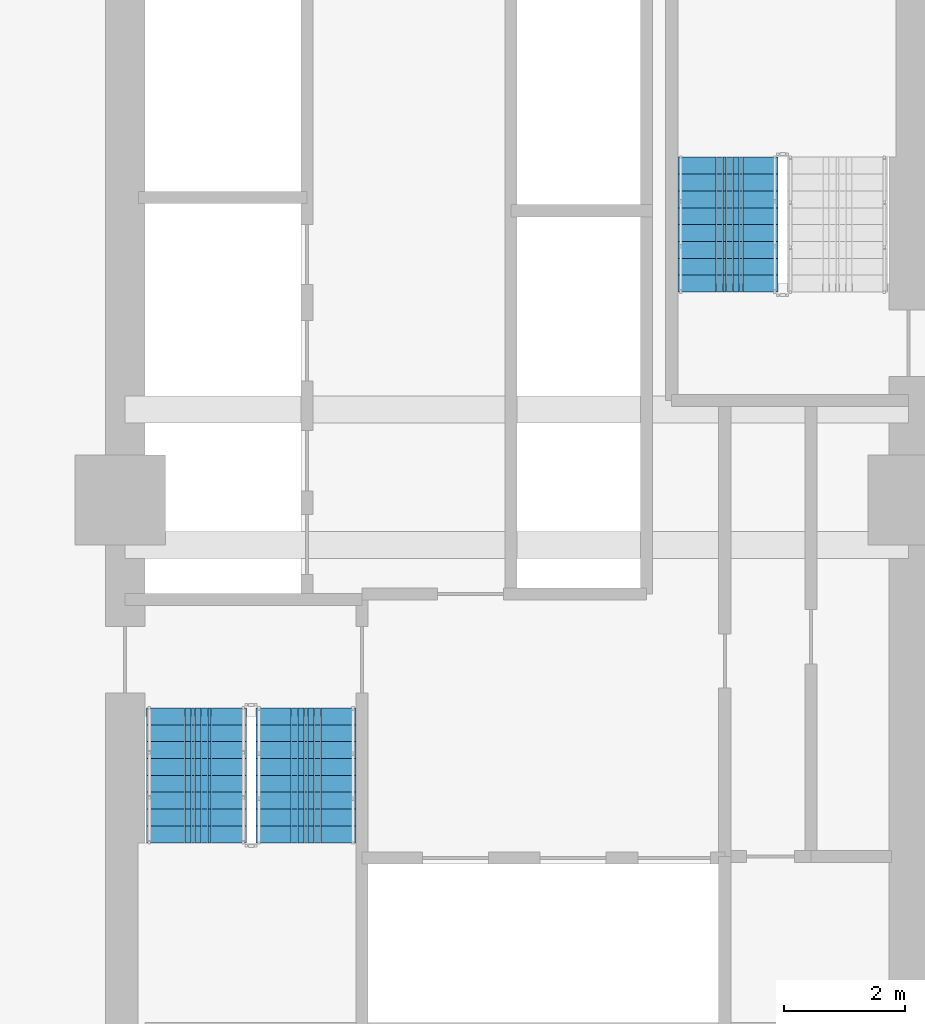
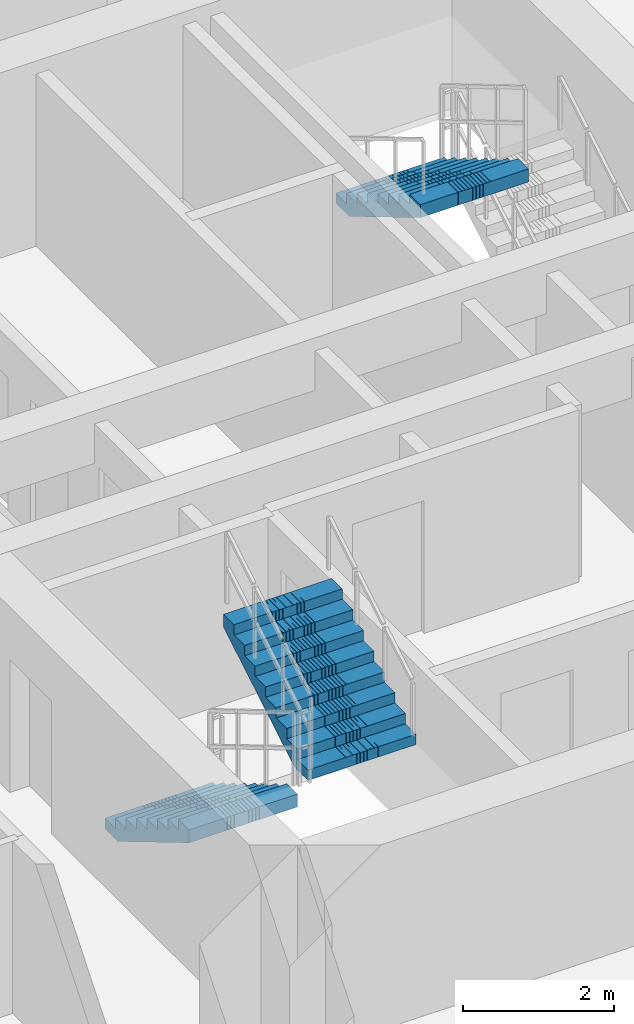
# One storey, part 9 of 16: 3 stair flights, 2 elements without a shape of their own.
"""IFC4 building model written with IfcOpenShell, lengths in metres."""

from ifc_helpers import new_model, si_unit, direction, frame, origin, place, context, subcontext, project, spatial, polyline, outline, extrude, material, type_object, element, aggregate, save


model = new_model("IFC4")

# Units and contexts
model_context = context("Model", 3, precision=1e-05, world=origin(), true_north=direction((0.0, 1.0)))
body_context = subcontext(model_context, "Body", "Model", "MODEL_VIEW")
ifc_project = project(units=[si_unit("LENGTHUNIT", "METRE"), si_unit("AREAUNIT", "SQUARE_METRE"), si_unit("VOLUMEUNIT", "CUBIC_METRE"), si_unit("PLANEANGLEUNIT", "RADIAN"), si_unit("MASSUNIT", "GRAM", prefix="KILO")], contexts=[model_context])

# Site, building, storey
site_placement = place(None, origin())
site = spatial("IfcSite", under=ifc_project, at=site_placement, CompositionType="ELEMENT")
building_placement = place(site_placement, origin())
building = spatial("IfcBuilding", under=site, at=building_placement, Name="Saelheon Loggia Tower", CompositionType="ELEMENT")
storey_placement = place(building_placement, frame((0.0, 0.0, 37.39990234375)))
storey = spatial("IfcBuildingStorey", under=building, at=storey_placement, Name="L11", CompositionType="ELEMENT", Elevation=37.39990234375)

# Stair, stair flights
ifc_material = material(Name="Concrete C40/50", Category="concrete")
stair_type = type_object("IfcStairType", Name="Stair_Escape_Core", PredefinedType="HALF_TURN_STAIR", material=ifc_material)
stair_1_placement = place(storey_placement, origin())
stair_1 = element("IfcStair", 1, at=stair_1_placement, inside=storey, type_object=stair_type, Name="L11 Special Escape Stair ST1", PredefinedType="HALF_TURN_STAIR")
stair_flight_type = type_object("IfcStairFlightType", Name="StairFlight_Tower_1660", PredefinedType="STRAIGHT", material=ifc_material)
stair_flight_1_placement = place(storey_placement, frame((32.679931640625, 23.550048828125, 0.0), z_axis=(0.0, 0.0, 1.0), x_axis=(0.0, -1.0, 0.0)))
stair_flight_1 = element("IfcStairFlight", 2, at=stair_flight_1_placement, type_object=stair_flight_type, Name="ST1 flight 1", NumberOfRisers=9, NumberOfTreads=8, PredefinedType="STRAIGHT", RiserHeight=0.166666667, TreadLength=0.28, context=body_context, shape_type="SweptSolid", body=[
    extrude(outline(polyline([(0.0, 0.0), (0.0, 0.166748046875), (0.280029296875, 0.166748046875), (0.280029296875, 0.333251953125), (0.56005859375, 0.333251953125), (0.56005859375, 0.5), (0.840087890625, 0.5), (0.840087890625, 0.666748046875), (1.1201171875, 0.666748046875), (1.1201171875, 0.833251953125), (1.39990234375, 0.833251953125), (1.39990234375, 1.0), (1.679931640625, 1.0), (1.679931640625, 1.166748046875), (1.9599609375, 1.166748046875), (1.9599609375, 1.333251953125), (2.239990234375, 1.333251953125), (2.239990234375, 1.5), (2.239990234375, 1.1240234375), (0.351806640625, 0.0), (0.0, 0.0)])), frame((0.0, -0.2490234375, 0.0), z_axis=(0.0, -1.0, 0.0), x_axis=(1.0, 0.0, 0.0)), (0.0, 0.0, 1.0), 0.5810546875),
    extrude(outline(polyline([(0.0, 0.0), (0.0, 0.166748046875), (0.280029296875, 0.166748046875), (0.280029296875, 0.333251953125), (0.56005859375, 0.333251953125), (0.56005859375, 0.5), (0.840087890625, 0.5), (0.840087890625, 0.666748046875), (1.1201171875, 0.666748046875), (1.1201171875, 0.833251953125), (1.39990234375, 0.833251953125), (1.39990234375, 1.0), (1.679931640625, 1.0), (1.679931640625, 1.166748046875), (1.9599609375, 1.166748046875), (1.9599609375, 1.333251953125), (2.239990234375, 1.333251953125), (2.239990234375, 1.5), (2.239990234375, 1.1240234375), (0.351806640625, 0.0), (0.0, 0.0)])), frame((0.0, -0.194091796875, 0.0), z_axis=(0.0, -1.0, 0.0), x_axis=(1.0, 0.0, 0.0)), (0.0, 0.0, 1.0), 0.0498046875),
    extrude(outline(polyline([(0.0, 0.0), (0.0, 0.166748046875), (0.280029296875, 0.166748046875), (0.280029296875, 0.333251953125), (0.56005859375, 0.333251953125), (0.56005859375, 0.5), (0.840087890625, 0.5), (0.840087890625, 0.666748046875), (1.1201171875, 0.666748046875), (1.1201171875, 0.833251953125), (1.39990234375, 0.833251953125), (1.39990234375, 1.0), (1.679931640625, 1.0), (1.679931640625, 1.166748046875), (1.9599609375, 1.166748046875), (1.9599609375, 1.333251953125), (2.239990234375, 1.333251953125), (2.239990234375, 1.5), (2.239990234375, 1.1240234375), (0.351806640625, 0.0), (0.0, 0.0)])), frame((0.0, -0.139404296875, 0.0), z_axis=(0.0, -1.0, 0.0), x_axis=(1.0, 0.0, 0.0)), (0.0, 0.0, 1.0), 0.0498046875),
    extrude(outline(polyline([(0.0, 0.0), (0.0, 0.166748046875), (0.280029296875, 0.166748046875), (0.280029296875, 0.333251953125), (0.56005859375, 0.333251953125), (0.56005859375, 0.5), (0.840087890625, 0.5), (0.840087890625, 0.666748046875), (1.1201171875, 0.666748046875), (1.1201171875, 0.833251953125), (1.39990234375, 0.833251953125), (1.39990234375, 1.0), (1.679931640625, 1.0), (1.679931640625, 1.166748046875), (1.9599609375, 1.166748046875), (1.9599609375, 1.333251953125), (2.239990234375, 1.333251953125), (2.239990234375, 1.5), (2.239990234375, 1.1240234375), (0.351806640625, 0.0), (0.0, 0.0)])), frame((0.0, -0.084716796875, 0.0), z_axis=(0.0, -1.0, 0.0), x_axis=(1.0, 0.0, 0.0)), (0.0, 0.0, 1.0), 0.0498046875),
    extrude(outline(polyline([(0.0, 0.0), (0.0, 0.166748046875), (0.280029296875, 0.166748046875), (0.280029296875, 0.333251953125), (0.56005859375, 0.333251953125), (0.56005859375, 0.5), (0.840087890625, 0.5), (0.840087890625, 0.666748046875), (1.1201171875, 0.666748046875), (1.1201171875, 0.833251953125), (1.39990234375, 0.833251953125), (1.39990234375, 1.0), (1.679931640625, 1.0), (1.679931640625, 1.166748046875), (1.9599609375, 1.166748046875), (1.9599609375, 1.333251953125), (2.239990234375, 1.333251953125), (2.239990234375, 1.5), (2.239990234375, 1.1240234375), (0.351806640625, 0.0), (0.0, 0.0)])), frame((0.0, -0.02978515625, 0.0), z_axis=(0.0, -1.0, 0.0), x_axis=(1.0, 0.0, 0.0)), (0.0, 0.0, 1.0), 0.0498046875),
    extrude(outline(polyline([(0.0, 0.0), (0.0, 0.166748046875), (0.280029296875, 0.166748046875), (0.280029296875, 0.333251953125), (0.56005859375, 0.333251953125), (0.56005859375, 0.5), (0.840087890625, 0.5), (0.840087890625, 0.666748046875), (1.1201171875, 0.666748046875), (1.1201171875, 0.833251953125), (1.39990234375, 0.833251953125), (1.39990234375, 1.0), (1.679931640625, 1.0), (1.679931640625, 1.166748046875), (1.9599609375, 1.166748046875), (1.9599609375, 1.333251953125), (2.239990234375, 1.333251953125), (2.239990234375, 1.5), (2.239990234375, 1.1240234375), (0.351806640625, 0.0), (0.0, 0.0)])), frame((0.0, 0.02490234375, 0.0), z_axis=(0.0, -1.0, 0.0), x_axis=(1.0, 0.0, 0.0)), (0.0, 0.0, 1.0), 0.0498046875),
    extrude(outline(polyline([(0.0, 0.0), (0.0, 0.166748046875), (0.280029296875, 0.166748046875), (0.280029296875, 0.333251953125), (0.56005859375, 0.333251953125), (0.56005859375, 0.5), (0.840087890625, 0.5), (0.840087890625, 0.666748046875), (1.1201171875, 0.666748046875), (1.1201171875, 0.833251953125), (1.39990234375, 0.833251953125), (1.39990234375, 1.0), (1.679931640625, 1.0), (1.679931640625, 1.166748046875), (1.9599609375, 1.166748046875), (1.9599609375, 1.333251953125), (2.239990234375, 1.333251953125), (2.239990234375, 1.5), (2.239990234375, 1.1240234375), (0.351806640625, 0.0), (0.0, 0.0)])), frame((0.0, 0.07958984375, 0.0), z_axis=(0.0, -1.0, 0.0), x_axis=(1.0, 0.0, 0.0)), (0.0, 0.0, 1.0), 0.0498046875),
    extrude(outline(polyline([(0.0, 0.0), (0.0, 0.166748046875), (0.280029296875, 0.166748046875), (0.280029296875, 0.333251953125), (0.56005859375, 0.333251953125), (0.56005859375, 0.5), (0.840087890625, 0.5), (0.840087890625, 0.666748046875), (1.1201171875, 0.666748046875), (1.1201171875, 0.833251953125), (1.39990234375, 0.833251953125), (1.39990234375, 1.0), (1.679931640625, 1.0), (1.679931640625, 1.166748046875), (1.9599609375, 1.166748046875), (1.9599609375, 1.333251953125), (2.239990234375, 1.333251953125), (2.239990234375, 1.5), (2.239990234375, 1.1240234375), (0.351806640625, 0.0), (0.0, 0.0)])), frame((0.0, 0.134521484375, 0.0), z_axis=(0.0, -1.0, 0.0), x_axis=(1.0, 0.0, 0.0)), (0.0, 0.0, 1.0), 0.0498046875),
    extrude(outline(polyline([(0.0, 0.0), (0.0, 0.166748046875), (0.280029296875, 0.166748046875), (0.280029296875, 0.333251953125), (0.56005859375, 0.333251953125), (0.56005859375, 0.5), (0.840087890625, 0.5), (0.840087890625, 0.666748046875), (1.1201171875, 0.666748046875), (1.1201171875, 0.833251953125), (1.39990234375, 0.833251953125), (1.39990234375, 1.0), (1.679931640625, 1.0), (1.679931640625, 1.166748046875), (1.9599609375, 1.166748046875), (1.9599609375, 1.333251953125), (2.239990234375, 1.333251953125), (2.239990234375, 1.5), (2.239990234375, 1.1240234375), (0.351806640625, 0.0), (0.0, 0.0)])), frame((0.0, 0.189208984375, 0.0), z_axis=(0.0, -1.0, 0.0), x_axis=(1.0, 0.0, 0.0)), (0.0, 0.0, 1.0), 0.0498046875),
    extrude(outline(polyline([(0.0, 0.0), (0.0, 0.166748046875), (0.280029296875, 0.166748046875), (0.280029296875, 0.333251953125), (0.56005859375, 0.333251953125), (0.56005859375, 0.5), (0.840087890625, 0.5), (0.840087890625, 0.666748046875), (1.1201171875, 0.666748046875), (1.1201171875, 0.833251953125), (1.39990234375, 0.833251953125), (1.39990234375, 1.0), (1.679931640625, 1.0), (1.679931640625, 1.166748046875), (1.9599609375, 1.166748046875), (1.9599609375, 1.333251953125), (2.239990234375, 1.333251953125), (2.239990234375, 1.5), (2.239990234375, 1.1240234375), (0.351806640625, 0.0), (0.0, 0.0)])), frame((0.0, 0.243896484375, 0.0), z_axis=(0.0, -1.0, 0.0), x_axis=(1.0, 0.0, 0.0)), (0.0, 0.0, 1.0), 0.0498046875),
    extrude(outline(polyline([(0.0, 0.0), (0.0, 0.166748046875), (0.280029296875, 0.166748046875), (0.280029296875, 0.333251953125), (0.56005859375, 0.333251953125), (0.56005859375, 0.5), (0.840087890625, 0.5), (0.840087890625, 0.666748046875), (1.1201171875, 0.666748046875), (1.1201171875, 0.833251953125), (1.39990234375, 0.833251953125), (1.39990234375, 1.0), (1.679931640625, 1.0), (1.679931640625, 1.166748046875), (1.9599609375, 1.166748046875), (1.9599609375, 1.333251953125), (2.239990234375, 1.333251953125), (2.239990234375, 1.5), (2.239990234375, 1.1240234375), (0.351806640625, 0.0), (0.0, 0.0)])), frame((0.0, 0.830078125, 0.0), z_axis=(0.0, -1.0, 0.0), x_axis=(1.0, 0.0, 0.0)), (0.0, 0.0, 1.0), 0.5810546875),
])
stair_flight_2_placement = place(storey_placement, frame((34.5, 21.31005859375, 1.5), z_axis=(0.0, 0.0, 1.0), x_axis=(0.0, 1.0, 0.0)))
stair_flight_2 = element("IfcStairFlight", 3, at=stair_flight_2_placement, type_object=stair_flight_type, Name="ST1 flight 2", NumberOfRisers=9, NumberOfTreads=8, PredefinedType="STRAIGHT", RiserHeight=0.166666667, TreadLength=0.28, context=body_context, shape_type="SweptSolid", body=[
    extrude(outline(polyline([(0.0, 0.0), (0.0, 0.166748046875), (0.280029296875, 0.166748046875), (0.280029296875, 0.333251953125), (0.56005859375, 0.333251953125), (0.56005859375, 0.5), (0.840087890625, 0.5), (0.840087890625, 0.666748046875), (1.1201171875, 0.666748046875), (1.1201171875, 0.833251953125), (1.39990234375, 0.833251953125), (1.39990234375, 1.0), (1.679931640625, 1.0), (1.679931640625, 1.166748046875), (1.9599609375, 1.166748046875), (1.9599609375, 1.333251953125), (2.239990234375, 1.333251953125), (2.239990234375, 1.5), (2.239990234375, 1.1240234375), (0.351806640625, 0.0), (0.0, 0.0)])), frame((0.0, -0.2490234375, 0.0), z_axis=(0.0, -1.0, 0.0), x_axis=(1.0, 0.0, 0.0)), (0.0, 0.0, 1.0), 0.5810546875),
    extrude(outline(polyline([(0.0, 0.0), (0.0, 0.166748046875), (0.280029296875, 0.166748046875), (0.280029296875, 0.333251953125), (0.56005859375, 0.333251953125), (0.56005859375, 0.5), (0.840087890625, 0.5), (0.840087890625, 0.666748046875), (1.1201171875, 0.666748046875), (1.1201171875, 0.833251953125), (1.39990234375, 0.833251953125), (1.39990234375, 1.0), (1.679931640625, 1.0), (1.679931640625, 1.166748046875), (1.9599609375, 1.166748046875), (1.9599609375, 1.333251953125), (2.239990234375, 1.333251953125), (2.239990234375, 1.5), (2.239990234375, 1.1240234375), (0.351806640625, 0.0), (0.0, 0.0)])), frame((0.0, -0.194091796875, 0.0), z_axis=(0.0, -1.0, 0.0), x_axis=(1.0, 0.0, 0.0)), (0.0, 0.0, 1.0), 0.0498046875),
    extrude(outline(polyline([(0.0, 0.0), (0.0, 0.166748046875), (0.280029296875, 0.166748046875), (0.280029296875, 0.333251953125), (0.56005859375, 0.333251953125), (0.56005859375, 0.5), (0.840087890625, 0.5), (0.840087890625, 0.666748046875), (1.1201171875, 0.666748046875), (1.1201171875, 0.833251953125), (1.39990234375, 0.833251953125), (1.39990234375, 1.0), (1.679931640625, 1.0), (1.679931640625, 1.166748046875), (1.9599609375, 1.166748046875), (1.9599609375, 1.333251953125), (2.239990234375, 1.333251953125), (2.239990234375, 1.5), (2.239990234375, 1.1240234375), (0.351806640625, 0.0), (0.0, 0.0)])), frame((0.0, -0.139404296875, 0.0), z_axis=(0.0, -1.0, 0.0), x_axis=(1.0, 0.0, 0.0)), (0.0, 0.0, 1.0), 0.0498046875),
    extrude(outline(polyline([(0.0, 0.0), (0.0, 0.166748046875), (0.280029296875, 0.166748046875), (0.280029296875, 0.333251953125), (0.56005859375, 0.333251953125), (0.56005859375, 0.5), (0.840087890625, 0.5), (0.840087890625, 0.666748046875), (1.1201171875, 0.666748046875), (1.1201171875, 0.833251953125), (1.39990234375, 0.833251953125), (1.39990234375, 1.0), (1.679931640625, 1.0), (1.679931640625, 1.166748046875), (1.9599609375, 1.166748046875), (1.9599609375, 1.333251953125), (2.239990234375, 1.333251953125), (2.239990234375, 1.5), (2.239990234375, 1.1240234375), (0.351806640625, 0.0), (0.0, 0.0)])), frame((0.0, -0.084716796875, 0.0), z_axis=(0.0, -1.0, 0.0), x_axis=(1.0, 0.0, 0.0)), (0.0, 0.0, 1.0), 0.0498046875),
    extrude(outline(polyline([(0.0, 0.0), (0.0, 0.166748046875), (0.280029296875, 0.166748046875), (0.280029296875, 0.333251953125), (0.56005859375, 0.333251953125), (0.56005859375, 0.5), (0.840087890625, 0.5), (0.840087890625, 0.666748046875), (1.1201171875, 0.666748046875), (1.1201171875, 0.833251953125), (1.39990234375, 0.833251953125), (1.39990234375, 1.0), (1.679931640625, 1.0), (1.679931640625, 1.166748046875), (1.9599609375, 1.166748046875), (1.9599609375, 1.333251953125), (2.239990234375, 1.333251953125), (2.239990234375, 1.5), (2.239990234375, 1.1240234375), (0.351806640625, 0.0), (0.0, 0.0)])), frame((0.0, -0.02978515625, 0.0), z_axis=(0.0, -1.0, 0.0), x_axis=(1.0, 0.0, 0.0)), (0.0, 0.0, 1.0), 0.0498046875),
    extrude(outline(polyline([(0.0, 0.0), (0.0, 0.166748046875), (0.280029296875, 0.166748046875), (0.280029296875, 0.333251953125), (0.56005859375, 0.333251953125), (0.56005859375, 0.5), (0.840087890625, 0.5), (0.840087890625, 0.666748046875), (1.1201171875, 0.666748046875), (1.1201171875, 0.833251953125), (1.39990234375, 0.833251953125), (1.39990234375, 1.0), (1.679931640625, 1.0), (1.679931640625, 1.166748046875), (1.9599609375, 1.166748046875), (1.9599609375, 1.333251953125), (2.239990234375, 1.333251953125), (2.239990234375, 1.5), (2.239990234375, 1.1240234375), (0.351806640625, 0.0), (0.0, 0.0)])), frame((0.0, 0.02490234375, 0.0), z_axis=(0.0, -1.0, 0.0), x_axis=(1.0, 0.0, 0.0)), (0.0, 0.0, 1.0), 0.0498046875),
    extrude(outline(polyline([(0.0, 0.0), (0.0, 0.166748046875), (0.280029296875, 0.166748046875), (0.280029296875, 0.333251953125), (0.56005859375, 0.333251953125), (0.56005859375, 0.5), (0.840087890625, 0.5), (0.840087890625, 0.666748046875), (1.1201171875, 0.666748046875), (1.1201171875, 0.833251953125), (1.39990234375, 0.833251953125), (1.39990234375, 1.0), (1.679931640625, 1.0), (1.679931640625, 1.166748046875), (1.9599609375, 1.166748046875), (1.9599609375, 1.333251953125), (2.239990234375, 1.333251953125), (2.239990234375, 1.5), (2.239990234375, 1.1240234375), (0.351806640625, 0.0), (0.0, 0.0)])), frame((0.0, 0.07958984375, 0.0), z_axis=(0.0, -1.0, 0.0), x_axis=(1.0, 0.0, 0.0)), (0.0, 0.0, 1.0), 0.0498046875),
    extrude(outline(polyline([(0.0, 0.0), (0.0, 0.166748046875), (0.280029296875, 0.166748046875), (0.280029296875, 0.333251953125), (0.56005859375, 0.333251953125), (0.56005859375, 0.5), (0.840087890625, 0.5), (0.840087890625, 0.666748046875), (1.1201171875, 0.666748046875), (1.1201171875, 0.833251953125), (1.39990234375, 0.833251953125), (1.39990234375, 1.0), (1.679931640625, 1.0), (1.679931640625, 1.166748046875), (1.9599609375, 1.166748046875), (1.9599609375, 1.333251953125), (2.239990234375, 1.333251953125), (2.239990234375, 1.5), (2.239990234375, 1.1240234375), (0.351806640625, 0.0), (0.0, 0.0)])), frame((0.0, 0.134521484375, 0.0), z_axis=(0.0, -1.0, 0.0), x_axis=(1.0, 0.0, 0.0)), (0.0, 0.0, 1.0), 0.0498046875),
    extrude(outline(polyline([(0.0, 0.0), (0.0, 0.166748046875), (0.280029296875, 0.166748046875), (0.280029296875, 0.333251953125), (0.56005859375, 0.333251953125), (0.56005859375, 0.5), (0.840087890625, 0.5), (0.840087890625, 0.666748046875), (1.1201171875, 0.666748046875), (1.1201171875, 0.833251953125), (1.39990234375, 0.833251953125), (1.39990234375, 1.0), (1.679931640625, 1.0), (1.679931640625, 1.166748046875), (1.9599609375, 1.166748046875), (1.9599609375, 1.333251953125), (2.239990234375, 1.333251953125), (2.239990234375, 1.5), (2.239990234375, 1.1240234375), (0.351806640625, 0.0), (0.0, 0.0)])), frame((0.0, 0.189208984375, 0.0), z_axis=(0.0, -1.0, 0.0), x_axis=(1.0, 0.0, 0.0)), (0.0, 0.0, 1.0), 0.0498046875),
    extrude(outline(polyline([(0.0, 0.0), (0.0, 0.166748046875), (0.280029296875, 0.166748046875), (0.280029296875, 0.333251953125), (0.56005859375, 0.333251953125), (0.56005859375, 0.5), (0.840087890625, 0.5), (0.840087890625, 0.666748046875), (1.1201171875, 0.666748046875), (1.1201171875, 0.833251953125), (1.39990234375, 0.833251953125), (1.39990234375, 1.0), (1.679931640625, 1.0), (1.679931640625, 1.166748046875), (1.9599609375, 1.166748046875), (1.9599609375, 1.333251953125), (2.239990234375, 1.333251953125), (2.239990234375, 1.5), (2.239990234375, 1.1240234375), (0.351806640625, 0.0), (0.0, 0.0)])), frame((0.0, 0.243896484375, 0.0), z_axis=(0.0, -1.0, 0.0), x_axis=(1.0, 0.0, 0.0)), (0.0, 0.0, 1.0), 0.0498046875),
    extrude(outline(polyline([(0.0, 0.0), (0.0, 0.166748046875), (0.280029296875, 0.166748046875), (0.280029296875, 0.333251953125), (0.56005859375, 0.333251953125), (0.56005859375, 0.5), (0.840087890625, 0.5), (0.840087890625, 0.666748046875), (1.1201171875, 0.666748046875), (1.1201171875, 0.833251953125), (1.39990234375, 0.833251953125), (1.39990234375, 1.0), (1.679931640625, 1.0), (1.679931640625, 1.166748046875), (1.9599609375, 1.166748046875), (1.9599609375, 1.333251953125), (2.239990234375, 1.333251953125), (2.239990234375, 1.5), (2.239990234375, 1.1240234375), (0.351806640625, 0.0), (0.0, 0.0)])), frame((0.0, 0.830078125, 0.0), z_axis=(0.0, -1.0, 0.0), x_axis=(1.0, 0.0, 0.0)), (0.0, 0.0, 1.0), 0.5810546875),
])
aggregate(stair_1, [stair_flight_1, stair_flight_2])

# Stair, stair flight
stair_2_placement = place(storey_placement, origin())
stair_2 = element("IfcStair", 4, at=stair_2_placement, inside=storey, type_object=stair_type, Name="L11 Special Escape Stair ST2", PredefinedType="HALF_TURN_STAIR")
stair_flight_3_placement = place(storey_placement, frame((41.5, 32.68994140625, 1.5), z_axis=(0.0, 0.0, 1.0), x_axis=(0.0, -1.0, 0.0)))
stair_flight_3 = element("IfcStairFlight", 5, at=stair_flight_3_placement, type_object=stair_flight_type, Name="ST2 flight 2", NumberOfRisers=9, NumberOfTreads=8, PredefinedType="STRAIGHT", RiserHeight=0.166666667, TreadLength=0.28, context=body_context, shape_type="SweptSolid", body=[
    extrude(outline(polyline([(0.0, 0.0), (0.0, 0.166748046875), (0.280029296875, 0.166748046875), (0.280029296875, 0.333251953125), (0.56005859375, 0.333251953125), (0.56005859375, 0.5), (0.840087890625, 0.5), (0.840087890625, 0.666748046875), (1.1201171875, 0.666748046875), (1.1201171875, 0.833251953125), (1.39990234375, 0.833251953125), (1.39990234375, 1.0), (1.679931640625, 1.0), (1.679931640625, 1.166748046875), (1.9599609375, 1.166748046875), (1.9599609375, 1.333251953125), (2.239990234375, 1.333251953125), (2.239990234375, 1.5), (2.239990234375, 1.1240234375), (0.351806640625, 0.0), (0.0, 0.0)])), frame((0.0, -0.2490234375, 0.0), z_axis=(0.0, -1.0, 0.0), x_axis=(1.0, 0.0, 0.0)), (0.0, 0.0, 1.0), 0.5810546875),
    extrude(outline(polyline([(0.0, 0.0), (0.0, 0.166748046875), (0.280029296875, 0.166748046875), (0.280029296875, 0.333251953125), (0.56005859375, 0.333251953125), (0.56005859375, 0.5), (0.840087890625, 0.5), (0.840087890625, 0.666748046875), (1.1201171875, 0.666748046875), (1.1201171875, 0.833251953125), (1.39990234375, 0.833251953125), (1.39990234375, 1.0), (1.679931640625, 1.0), (1.679931640625, 1.166748046875), (1.9599609375, 1.166748046875), (1.9599609375, 1.333251953125), (2.239990234375, 1.333251953125), (2.239990234375, 1.5), (2.239990234375, 1.1240234375), (0.351806640625, 0.0), (0.0, 0.0)])), frame((0.0, -0.194091796875, 0.0), z_axis=(0.0, -1.0, 0.0), x_axis=(1.0, 0.0, 0.0)), (0.0, 0.0, 1.0), 0.0498046875),
    extrude(outline(polyline([(0.0, 0.0), (0.0, 0.166748046875), (0.280029296875, 0.166748046875), (0.280029296875, 0.333251953125), (0.56005859375, 0.333251953125), (0.56005859375, 0.5), (0.840087890625, 0.5), (0.840087890625, 0.666748046875), (1.1201171875, 0.666748046875), (1.1201171875, 0.833251953125), (1.39990234375, 0.833251953125), (1.39990234375, 1.0), (1.679931640625, 1.0), (1.679931640625, 1.166748046875), (1.9599609375, 1.166748046875), (1.9599609375, 1.333251953125), (2.239990234375, 1.333251953125), (2.239990234375, 1.5), (2.239990234375, 1.1240234375), (0.351806640625, 0.0), (0.0, 0.0)])), frame((0.0, -0.139404296875, 0.0), z_axis=(0.0, -1.0, 0.0), x_axis=(1.0, 0.0, 0.0)), (0.0, 0.0, 1.0), 0.0498046875),
    extrude(outline(polyline([(0.0, 0.0), (0.0, 0.166748046875), (0.280029296875, 0.166748046875), (0.280029296875, 0.333251953125), (0.56005859375, 0.333251953125), (0.56005859375, 0.5), (0.840087890625, 0.5), (0.840087890625, 0.666748046875), (1.1201171875, 0.666748046875), (1.1201171875, 0.833251953125), (1.39990234375, 0.833251953125), (1.39990234375, 1.0), (1.679931640625, 1.0), (1.679931640625, 1.166748046875), (1.9599609375, 1.166748046875), (1.9599609375, 1.333251953125), (2.239990234375, 1.333251953125), (2.239990234375, 1.5), (2.239990234375, 1.1240234375), (0.351806640625, 0.0), (0.0, 0.0)])), frame((0.0, -0.084716796875, 0.0), z_axis=(0.0, -1.0, 0.0), x_axis=(1.0, 0.0, 0.0)), (0.0, 0.0, 1.0), 0.0498046875),
    extrude(outline(polyline([(0.0, 0.0), (0.0, 0.166748046875), (0.280029296875, 0.166748046875), (0.280029296875, 0.333251953125), (0.56005859375, 0.333251953125), (0.56005859375, 0.5), (0.840087890625, 0.5), (0.840087890625, 0.666748046875), (1.1201171875, 0.666748046875), (1.1201171875, 0.833251953125), (1.39990234375, 0.833251953125), (1.39990234375, 1.0), (1.679931640625, 1.0), (1.679931640625, 1.166748046875), (1.9599609375, 1.166748046875), (1.9599609375, 1.333251953125), (2.239990234375, 1.333251953125), (2.239990234375, 1.5), (2.239990234375, 1.1240234375), (0.351806640625, 0.0), (0.0, 0.0)])), frame((0.0, -0.02978515625, 0.0), z_axis=(0.0, -1.0, 0.0), x_axis=(1.0, 0.0, 0.0)), (0.0, 0.0, 1.0), 0.0498046875),
    extrude(outline(polyline([(0.0, 0.0), (0.0, 0.166748046875), (0.280029296875, 0.166748046875), (0.280029296875, 0.333251953125), (0.56005859375, 0.333251953125), (0.56005859375, 0.5), (0.840087890625, 0.5), (0.840087890625, 0.666748046875), (1.1201171875, 0.666748046875), (1.1201171875, 0.833251953125), (1.39990234375, 0.833251953125), (1.39990234375, 1.0), (1.679931640625, 1.0), (1.679931640625, 1.166748046875), (1.9599609375, 1.166748046875), (1.9599609375, 1.333251953125), (2.239990234375, 1.333251953125), (2.239990234375, 1.5), (2.239990234375, 1.1240234375), (0.351806640625, 0.0), (0.0, 0.0)])), frame((0.0, 0.02490234375, 0.0), z_axis=(0.0, -1.0, 0.0), x_axis=(1.0, 0.0, 0.0)), (0.0, 0.0, 1.0), 0.0498046875),
    extrude(outline(polyline([(0.0, 0.0), (0.0, 0.166748046875), (0.280029296875, 0.166748046875), (0.280029296875, 0.333251953125), (0.56005859375, 0.333251953125), (0.56005859375, 0.5), (0.840087890625, 0.5), (0.840087890625, 0.666748046875), (1.1201171875, 0.666748046875), (1.1201171875, 0.833251953125), (1.39990234375, 0.833251953125), (1.39990234375, 1.0), (1.679931640625, 1.0), (1.679931640625, 1.166748046875), (1.9599609375, 1.166748046875), (1.9599609375, 1.333251953125), (2.239990234375, 1.333251953125), (2.239990234375, 1.5), (2.239990234375, 1.1240234375), (0.351806640625, 0.0), (0.0, 0.0)])), frame((0.0, 0.07958984375, 0.0), z_axis=(0.0, -1.0, 0.0), x_axis=(1.0, 0.0, 0.0)), (0.0, 0.0, 1.0), 0.0498046875),
    extrude(outline(polyline([(0.0, 0.0), (0.0, 0.166748046875), (0.280029296875, 0.166748046875), (0.280029296875, 0.333251953125), (0.56005859375, 0.333251953125), (0.56005859375, 0.5), (0.840087890625, 0.5), (0.840087890625, 0.666748046875), (1.1201171875, 0.666748046875), (1.1201171875, 0.833251953125), (1.39990234375, 0.833251953125), (1.39990234375, 1.0), (1.679931640625, 1.0), (1.679931640625, 1.166748046875), (1.9599609375, 1.166748046875), (1.9599609375, 1.333251953125), (2.239990234375, 1.333251953125), (2.239990234375, 1.5), (2.239990234375, 1.1240234375), (0.351806640625, 0.0), (0.0, 0.0)])), frame((0.0, 0.134521484375, 0.0), z_axis=(0.0, -1.0, 0.0), x_axis=(1.0, 0.0, 0.0)), (0.0, 0.0, 1.0), 0.0498046875),
    extrude(outline(polyline([(0.0, 0.0), (0.0, 0.166748046875), (0.280029296875, 0.166748046875), (0.280029296875, 0.333251953125), (0.56005859375, 0.333251953125), (0.56005859375, 0.5), (0.840087890625, 0.5), (0.840087890625, 0.666748046875), (1.1201171875, 0.666748046875), (1.1201171875, 0.833251953125), (1.39990234375, 0.833251953125), (1.39990234375, 1.0), (1.679931640625, 1.0), (1.679931640625, 1.166748046875), (1.9599609375, 1.166748046875), (1.9599609375, 1.333251953125), (2.239990234375, 1.333251953125), (2.239990234375, 1.5), (2.239990234375, 1.1240234375), (0.351806640625, 0.0), (0.0, 0.0)])), frame((0.0, 0.189208984375, 0.0), z_axis=(0.0, -1.0, 0.0), x_axis=(1.0, 0.0, 0.0)), (0.0, 0.0, 1.0), 0.0498046875),
    extrude(outline(polyline([(0.0, 0.0), (0.0, 0.166748046875), (0.280029296875, 0.166748046875), (0.280029296875, 0.333251953125), (0.56005859375, 0.333251953125), (0.56005859375, 0.5), (0.840087890625, 0.5), (0.840087890625, 0.666748046875), (1.1201171875, 0.666748046875), (1.1201171875, 0.833251953125), (1.39990234375, 0.833251953125), (1.39990234375, 1.0), (1.679931640625, 1.0), (1.679931640625, 1.166748046875), (1.9599609375, 1.166748046875), (1.9599609375, 1.333251953125), (2.239990234375, 1.333251953125), (2.239990234375, 1.5), (2.239990234375, 1.1240234375), (0.351806640625, 0.0), (0.0, 0.0)])), frame((0.0, 0.243896484375, 0.0), z_axis=(0.0, -1.0, 0.0), x_axis=(1.0, 0.0, 0.0)), (0.0, 0.0, 1.0), 0.0498046875),
    extrude(outline(polyline([(0.0, 0.0), (0.0, 0.166748046875), (0.280029296875, 0.166748046875), (0.280029296875, 0.333251953125), (0.56005859375, 0.333251953125), (0.56005859375, 0.5), (0.840087890625, 0.5), (0.840087890625, 0.666748046875), (1.1201171875, 0.666748046875), (1.1201171875, 0.833251953125), (1.39990234375, 0.833251953125), (1.39990234375, 1.0), (1.679931640625, 1.0), (1.679931640625, 1.166748046875), (1.9599609375, 1.166748046875), (1.9599609375, 1.333251953125), (2.239990234375, 1.333251953125), (2.239990234375, 1.5), (2.239990234375, 1.1240234375), (0.351806640625, 0.0), (0.0, 0.0)])), frame((0.0, 0.830078125, 0.0), z_axis=(0.0, -1.0, 0.0), x_axis=(1.0, 0.0, 0.0)), (0.0, 0.0, 1.0), 0.5810546875),
])
aggregate(stair_2, [stair_flight_3])

save(model, "model.ifc")
